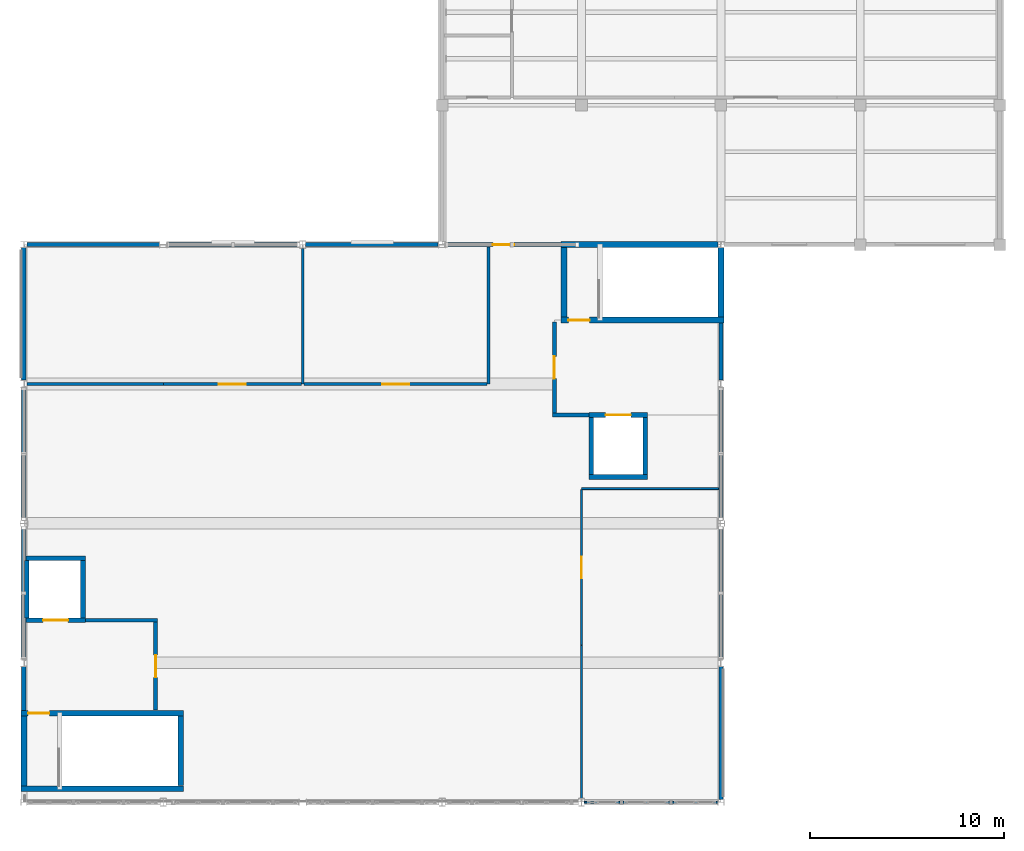
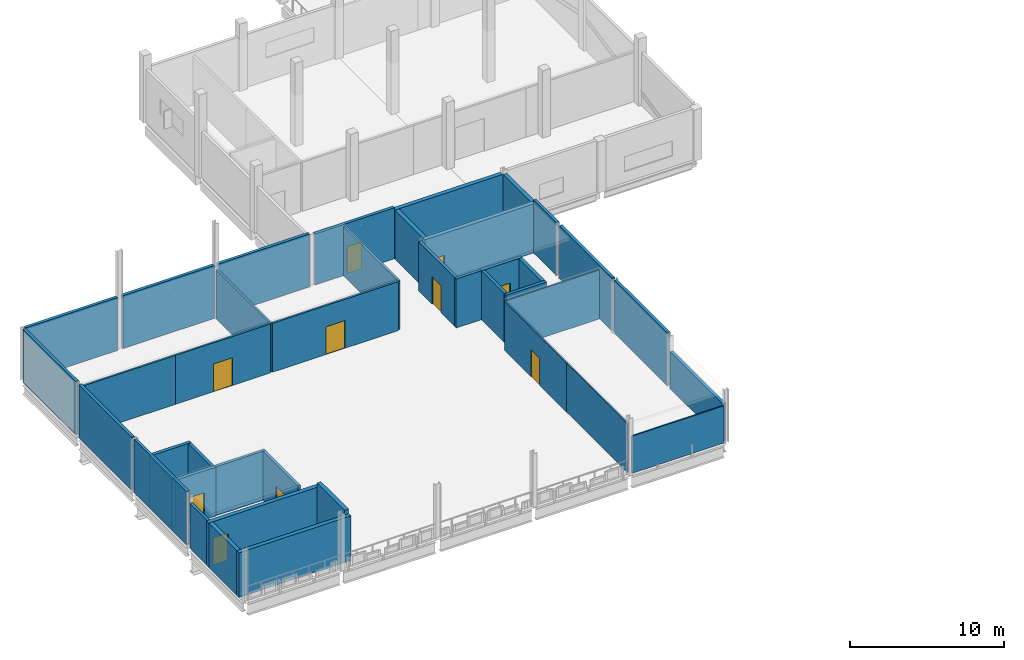
# One storey, part 18 of 20: 41 walls, 10 doors, 10 openings.
"""IFC4 building model written with IfcOpenShell, lengths in metres."""

from ifc_helpers import new_model, si_unit, direction, frame, frame_2d, origin, place, context, subcontext, project, spatial, rectangle, extrude, material, layer, layer_set, type_object, element, fill, save


model = new_model("IFC4")

# Units and contexts
model_context = context("Model", 3, precision=1e-05, world=origin(), true_north=direction((0.0, 1.0)))
body_context = subcontext(model_context, "Body", "Model", "MODEL_VIEW")
ifc_project = project(units=[si_unit("LENGTHUNIT", "METRE"), si_unit("AREAUNIT", "SQUARE_METRE"), si_unit("VOLUMEUNIT", "CUBIC_METRE"), si_unit("PLANEANGLEUNIT", "RADIAN"), si_unit("MASSUNIT", "GRAM", prefix="KILO"), si_unit("THERMODYNAMICTEMPERATUREUNIT", "KELVIN"), si_unit("POWERUNIT", "WATT")], contexts=[model_context])

# Site, building, storey
site_placement = place(None, origin())
site = spatial("IfcSite", under=ifc_project, at=site_placement, CompositionType="ELEMENT")
building_placement = place(site_placement, origin())
building = spatial("IfcBuilding", under=site, at=building_placement, Name="Kaldorven Railside Theatre", CompositionType="ELEMENT")
storey_placement = place(building_placement, frame((0.0, 0.0, 23.10009765625)))
storey = spatial("IfcBuildingStorey", under=building, at=storey_placement, Name="L05", CompositionType="ELEMENT", Elevation=23.10009765625)

# Walls
ifc_material_1 = material(Name="Precast concrete C40/50", Category="concrete")
ifc_layer_1 = layer(ifc_material_1, 0.219970703125, Name="Precast concrete C40/50")
ifc_layer_set_1 = layer_set([ifc_layer_1], Name="Precast concrete C40/50")
wall_type_1 = type_object("IfcWallType", Name="WL-EW07", PredefinedType="SOLIDWALL", material=ifc_layer_set_1)
wall_1_placement = place(storey_placement, frame((87.199951171875, 88.75, 0.0), z_axis=(0.0, 0.0, 1.0), x_axis=(0.0, 1.0, 0.0)))
element("IfcWall", 1, at=wall_1_placement, inside=storey, type_object=wall_type_1, Name="V2 L05 Exterior Wall EW-0329", PredefinedType="SOLIDWALL", context=body_context, shape_type="SweptSolid", body=[
    extrude(rectangle(XDim=2.25, YDim=0.219970703125, at=frame_2d((1.125, 0.0))), origin(), (0.0, 0.0, 1.0), 3.534912109375),
])
wall_2_placement = place(storey_placement, frame((87.199951171875, 91.39990234375, 0.0), z_axis=(0.0, 0.0, 1.0), x_axis=(0.0, 1.0, 0.0)))
element("IfcWall", 2, at=wall_2_placement, inside=storey, type_object=wall_type_1, Name="V2 L05 Exterior Wall EW-0330", PredefinedType="SOLIDWALL", context=body_context, shape_type="SweptSolid", body=[
    extrude(rectangle(XDim=6.85009765625, YDim=0.219970703125, at=frame_2d((3.425048828125, 0.0))), origin(), (0.0, 0.0, 1.0), 4.199951171875),
])
wall_3_placement = place(storey_placement, frame((87.199951171875, 98.550048828125, 0.0), z_axis=(0.0, 0.0, 1.0), x_axis=(0.0, 1.0, 0.0)))
element("IfcWall", 3, at=wall_3_placement, inside=storey, type_object=wall_type_1, Name="V2 L05 Exterior Wall EW-0331", PredefinedType="SOLIDWALL", context=body_context, shape_type="SweptSolid", body=[
    extrude(rectangle(XDim=6.849853515625, YDim=0.219970703125, at=frame_2d((3.4248046875, 0.0))), origin(), (0.0, 0.0, 1.0), 4.199951171875),
])
wall_4_placement = place(storey_placement, frame((87.199951171875, 105.800048828125, 0.0), z_axis=(0.0, 0.0, 1.0), x_axis=(0.0, 1.0, 0.0)))
element("IfcWall", 4, at=wall_4_placement, inside=storey, type_object=wall_type_1, Name="V2 L05 Exterior Wall EW-0332", PredefinedType="SOLIDWALL", context=body_context, shape_type="SweptSolid", body=[
    extrude(rectangle(XDim=6.839599609375, YDim=0.219970703125, at=frame_2d((3.419921875, 0.0))), origin(), (0.0, 0.0, 1.0), 4.199951171875),
])
wall_5_placement = place(storey_placement, frame((87.3544921875, 112.800048828125, 0.0), z_axis=(0.0, 0.0, 1.0), x_axis=(1.0, 0.0, 0.0)))
element("IfcWall", 5, at=wall_5_placement, inside=storey, type_object=wall_type_1, Name="V2 L05 Exterior Wall EW-0333", PredefinedType="SOLIDWALL", context=body_context, shape_type="SweptSolid", body=[
    extrude(rectangle(XDim=6.845458984375, YDim=0.219970703125, at=frame_2d((3.4228515625, 0.0))), origin(), (0.0, 0.0, 1.0), 4.199951171875),
])
wall_6_placement = place(storey_placement, frame((94.60009765625, 112.800048828125, 0.0), z_axis=(0.0, 0.0, 1.0), x_axis=(1.0, 0.0, 0.0)))
element("IfcWall", 6, at=wall_6_placement, inside=storey, type_object=wall_type_1, Name="V2 L05 Exterior Wall EW-0334", PredefinedType="SOLIDWALL", context=body_context, shape_type="SweptSolid", body=[
    extrude(rectangle(XDim=6.849853515625, YDim=0.219970703125, at=frame_2d((3.4248046875, 0.0))), origin(), (0.0, 0.0, 1.0), 4.199951171875),
])
wall_7_placement = place(storey_placement, frame((101.75, 112.800048828125, 0.0), z_axis=(0.0, 0.0, 1.0), x_axis=(1.0, 0.0, 0.0)))
element("IfcWall", 7, at=wall_7_placement, inside=storey, type_object=wall_type_1, Name="V2 L05 Exterior Wall EW-0335", PredefinedType="SOLIDWALL", context=body_context, shape_type="SweptSolid", body=[
    extrude(rectangle(XDim=6.85009765625, YDim=0.219970703125, at=frame_2d((3.425048828125, 0.0))), origin(), (0.0, 0.0, 1.0), 4.199951171875),
])

# Wall, opening, door
wall_8_placement = place(storey_placement, frame((109.0, 112.800048828125, 0.0), z_axis=(0.0, 0.0, 1.0), x_axis=(1.0, 0.0, 0.0)))
wall_8 = element("IfcWall", 8, at=wall_8_placement, inside=storey, type_object=wall_type_1, Name="V2 L05 Exterior Wall EW-0336", PredefinedType="SOLIDWALL", context=body_context, shape_type="SweptSolid", body=[
    extrude(rectangle(XDim=5.949951171875, YDim=0.219970703125, at=frame_2d((2.97509765625, 0.0))), origin(), (0.0, 0.0, 1.0), 4.04638671875),
])
opening_1_placement = place(wall_8_placement, frame((2.425048828125, 0.0, 0.0)))
opening_1 = element("IfcOpeningElement", 9, at=opening_1_placement, cuts=wall_8, Name="Opening ID-0085", PredefinedType="OPENING", context=body_context, shape_type="SweptSolid", body=[
    extrude(rectangle(XDim=1.10009765625, YDim=2.14990234375, at=frame_2d((0.550048828125, 1.074951171875))), frame((0.0, 0.1201171875, 0.0), z_axis=(0.0, -1.0, 0.0), x_axis=(1.0, 0.0, 0.0)), (0.0, 0.0, 1.0), 0.239990234375),
])
ifc_material_2 = material(Name="Acoustic hardwood timber", Category="wood")
door_type_1 = type_object("IfcDoorType", Name="DR-ID-FD60", OperationType="NOTDEFINED", PredefinedType="DOOR", material=ifc_material_2)
door_1_placement = place(opening_1_placement, origin())
door_1 = element("IfcDoor", 10, at=door_1_placement, inside=storey, type_object=door_type_1, Name="L05 Stage-to-Backstage Corridor Door", OperationType="SINGLE_SWING_RIGHT", OverallHeight=2.14990234375, OverallWidth=1.10009765625, PredefinedType="DOOR", context=body_context, shape_type="SweptSolid", body=[
    extrude(rectangle(XDim=1.10009765625, YDim=2.14990234375, at=frame_2d((0.550048828125, 1.074951171875))), frame((0.0, 0.02490234375, 0.0), z_axis=(0.0, -1.0, 0.0), x_axis=(1.0, 0.0, 0.0)), (0.0, 0.0, 1.0), 0.050048828125),
])
fill(opening_1, door_1)

# Walls
wall_9_placement = place(storey_placement, frame((123.199951171875, 108.75, 0.0), z_axis=(0.0, 0.0, 1.0), x_axis=(0.0, -1.0, 0.0)))
element("IfcWall", 11, at=wall_9_placement, inside=storey, type_object=wall_type_1, Name="V2 L05 Exterior Wall EW-0337", PredefinedType="SOLIDWALL", context=body_context, shape_type="SweptSolid", body=[
    extrude(rectangle(XDim=2.949951171875, YDim=0.219970703125, at=frame_2d((1.47509765625, 0.0))), origin(), (0.0, 0.0, 1.0), 4.199951171875),
])
wall_10_placement = place(storey_placement, frame((123.199951171875, 105.39990234375, 0.0), z_axis=(0.0, 0.0, 1.0), x_axis=(0.0, -1.0, 0.0)))
element("IfcWall", 12, at=wall_10_placement, inside=storey, type_object=wall_type_1, Name="V2 L05 Exterior Wall EW-0338", PredefinedType="SOLIDWALL", context=body_context, shape_type="SweptSolid", body=[
    extrude(rectangle(XDim=6.849853515625, YDim=0.219970703125, at=frame_2d((3.4248046875, 0.0))), origin(), (0.0, 0.0, 1.0), 4.199951171875),
])
wall_11_placement = place(storey_placement, frame((123.199951171875, 98.25, 0.0), z_axis=(0.0, 0.0, 1.0), x_axis=(0.0, -1.0, 0.0)))
element("IfcWall", 13, at=wall_11_placement, inside=storey, type_object=wall_type_1, Name="V2 L05 Exterior Wall EW-0339", PredefinedType="SOLIDWALL", context=body_context, shape_type="SweptSolid", body=[
    extrude(rectangle(XDim=6.85009765625, YDim=0.219970703125, at=frame_2d((3.425048828125, 0.0))), origin(), (0.0, 0.0, 1.0), 4.199951171875),
])
wall_12_placement = place(storey_placement, frame((123.199951171875, 91.0, 0.0), z_axis=(0.0, 0.0, 1.0), x_axis=(0.0, -1.0, 0.0)))
element("IfcWall", 14, at=wall_12_placement, inside=storey, type_object=wall_type_1, Name="V2 L05 Exterior Wall EW-0340", PredefinedType="SOLIDWALL", context=body_context, shape_type="SweptSolid", body=[
    extrude(rectangle(XDim=6.845458984375, YDim=0.219970703125, at=frame_2d((3.4228515625, 0.0))), origin(), (0.0, 0.0, 1.0), 2.949462890625),
])
ifc_material_3 = material(Name="Acoustic gypsum board")
ifc_layer_2 = layer(ifc_material_3, 0.14990234375, Name="Acoustic gypsum board")
ifc_layer_set_2 = layer_set([ifc_layer_2], Name="Acoustic gypsum board")
wall_type_2 = type_object("IfcWallType", Name="WL-IW-AC1", PredefinedType="PARTITIONING", material=ifc_layer_set_2)
wall_13_placement = place(storey_placement, frame((111.199951171875, 105.60009765625, 0.0), z_axis=(0.0, 0.0, 1.0), x_axis=(0.0, 1.0, 0.0)))
element("IfcWall", 15, at=wall_13_placement, inside=storey, type_object=wall_type_2, Name="L05 Interior Wall IW-0695", PredefinedType="PARTITIONING", context=body_context, shape_type="SweptSolid", body=[
    extrude(rectangle(XDim=7.087890625, YDim=0.14990234375, at=frame_2d((3.5439453125, 0.0))), origin(), (0.0, 0.0, 1.0), 3.8798828125),
])

# Wall, opening, door
wall_14_placement = place(storey_placement, frame((101.672119140625, 105.60009765625, 0.0), z_axis=(0.0, 0.0, 1.0), x_axis=(1.0, 0.0, 0.0)))
wall_14 = element("IfcWall", 16, at=wall_14_placement, inside=storey, type_object=wall_type_2, Name="L05 Interior Wall IW-0696", PredefinedType="PARTITIONING", context=body_context, shape_type="SweptSolid", body=[
    extrude(rectangle(XDim=9.450927734375, YDim=0.14990234375, at=frame_2d((4.7255859375, 0.0))), origin(), (0.0, 0.0, 1.0), 3.8798828125),
])
opening_2_placement = place(wall_14_placement, frame((4.025390625, 0.0, 0.0)))
opening_2 = element("IfcOpeningElement", 17, at=opening_2_placement, cuts=wall_14, Name="Opening ID-0159", PredefinedType="OPENING", context=body_context, shape_type="SweptSolid", body=[
    extrude(rectangle(XDim=1.39990234375, YDim=2.199951171875, at=frame_2d((0.699951171875, 1.10009765625))), frame((0.0, 0.0849609375, 0.0), z_axis=(0.0, -1.0, 0.0), x_axis=(1.0, 0.0, 0.0)), (0.0, 0.0, 1.0), 0.169921875),
])
ifc_material_4 = material(Name="Powder-coated hollow-metal steel", Category="steel")
door_type_2 = type_object("IfcDoorType", Name="DR-ID-PLT1", OperationType="NOTDEFINED", PredefinedType="DOOR", material=ifc_material_4)
door_2_placement = place(opening_2_placement, origin())
door_2 = element("IfcDoor", 18, at=door_2_placement, inside=storey, type_object=door_type_2, Name="Upper Smoke Extract Plant Entry Door", OperationType="SINGLE_SWING_RIGHT", OverallHeight=2.199951171875, OverallWidth=1.39990234375, PredefinedType="DOOR", context=body_context, shape_type="SweptSolid", body=[
    extrude(rectangle(XDim=1.39990234375, YDim=2.199951171875, at=frame_2d((0.699951171875, 1.10009765625))), frame((0.0, 0.02490234375, 0.0), z_axis=(0.0, -1.0, 0.0), x_axis=(1.0, 0.0, 0.0)), (0.0, 0.0, 1.0), 0.050048828125),
])
fill(opening_2, door_2)

# Walls
ifc_layer_3 = layer(ifc_material_3, 0.139892578125, Name="Acoustic gypsum board")
ifc_layer_set_3 = layer_set([ifc_layer_3], Name="Acoustic gypsum board")
wall_type_3 = type_object("IfcWallType", Name="WL-IW-AC2", PredefinedType="PARTITIONING", material=ifc_layer_set_3)
wall_15_placement = place(storey_placement, frame((101.60009765625, 105.60009765625, 0.0), z_axis=(0.0, 0.0, 1.0), x_axis=(0.0, 1.0, 0.0)))
element("IfcWall", 19, at=wall_15_placement, inside=storey, type_object=wall_type_3, Name="L05 Interior Wall IW-0692", PredefinedType="PARTITIONING", context=body_context, shape_type="SweptSolid", body=[
    extrude(rectangle(XDim=7.0, YDim=0.139892578125, at=frame_2d((3.5, 0.0))), origin(), (0.0, 0.0, 1.0), 3.8798828125),
])
wall_16_placement = place(storey_placement, frame((87.35009765625, 105.60009765625, 0.0), z_axis=(0.0, 0.0, 1.0), x_axis=(1.0, 0.0, 0.0)))
element("IfcWall", 20, at=wall_16_placement, inside=storey, type_object=wall_type_3, Name="L05 Interior Wall IW-0693", PredefinedType="PARTITIONING", context=body_context, shape_type="SweptSolid", body=[
    extrude(rectangle(XDim=7.0498046875, YDim=0.139892578125, at=frame_2d((3.52490234375, 0.0))), origin(), (0.0, 0.0, 1.0), 3.8798828125),
])

# Wall, opening, door
wall_17_placement = place(storey_placement, frame((94.39990234375, 105.60009765625, 0.0), z_axis=(0.0, 0.0, 1.0), x_axis=(1.0, 0.0, 0.0)))
wall_17 = element("IfcWall", 21, at=wall_17_placement, inside=storey, type_object=wall_type_3, Name="L05 Interior Wall IW-0694", PredefinedType="PARTITIONING", context=body_context, shape_type="SweptSolid", body=[
    extrude(rectangle(XDim=7.128173828125, YDim=0.139892578125, at=frame_2d((3.56396484375, 0.0))), origin(), (0.0, 0.0, 1.0), 3.8798828125),
])
opening_3_placement = place(wall_17_placement, frame((2.864013671875, 0.0, 0.0)))
opening_3 = element("IfcOpeningElement", 22, at=opening_3_placement, cuts=wall_17, Name="Opening ID-0158", PredefinedType="OPENING", context=body_context, shape_type="SweptSolid", body=[
    extrude(rectangle(XDim=1.39990234375, YDim=2.199951171875, at=frame_2d((0.699951171875, 1.10009765625))), frame((0.0, 0.080078125, 0.0), z_axis=(0.0, -1.0, 0.0), x_axis=(1.0, 0.0, 0.0)), (0.0, 0.0, 1.0), 0.159912109375),
])
door_3_placement = place(opening_3_placement, origin())
door_3 = element("IfcDoor", 23, at=door_3_placement, inside=storey, type_object=door_type_2, Name="Rigging Winch Room Entry Door", OperationType="SINGLE_SWING_LEFT", OverallHeight=2.199951171875, OverallWidth=1.39990234375, PredefinedType="DOOR", context=body_context, shape_type="SweptSolid", body=[
    extrude(rectangle(XDim=1.39990234375, YDim=2.199951171875, at=frame_2d((0.699951171875, 1.10009765625))), frame((0.0, 0.02490234375, 0.0), z_axis=(0.0, -1.0, 0.0), x_axis=(1.0, 0.0, 0.0)), (0.0, 0.0, 1.0), 0.050048828125),
])
fill(opening_3, door_3)

# Walls
ifc_material_5 = material(Name="Concrete C40/50", Category="concrete")
ifc_layer_4 = layer(ifc_material_5, 0.300048828125, Name="Concrete C40/50")
ifc_layer_set_4 = layer_set([ifc_layer_4], Name="Concrete C40/50")
wall_type_4 = type_object("IfcWallType", Name="WL-IW-CORE", PredefinedType="SHEAR", material=ifc_layer_set_4)
wall_18_placement = place(storey_placement, frame((95.449951171875, 84.699951171875, 0.0), z_axis=(0.0, 0.0, 1.0), x_axis=(-1.0, 0.0, 0.0)))
element("IfcWall", 24, at=wall_18_placement, inside=storey, type_object=wall_type_4, Name="L05 Core Wall CW-0153", PredefinedType="SHEAR", context=body_context, shape_type="SweptSolid", body=[
    extrude(rectangle(XDim=8.39990234375, YDim=0.300048828125, at=frame_2d((4.199951171875, 0.0))), origin(), (0.0, 0.0, 1.0), 3.534912109375),
])
wall_19_placement = place(storey_placement, frame((87.199951171875, 84.85205078125, 0.0), z_axis=(0.0, 0.0, 1.0), x_axis=(0.0, 1.0, 0.0)))
element("IfcWall", 25, at=wall_19_placement, inside=storey, type_object=wall_type_4, Name="L05 Core Wall CW-0154", PredefinedType="SHEAR", context=body_context, shape_type="SweptSolid", body=[
    extrude(rectangle(XDim=3.597900390625, YDim=0.300048828125, at=frame_2d((1.798828125, 0.0))), origin(), (0.0, 0.0, 1.0), 3.534912109375),
])

# Wall, opening, door
wall_20_placement = place(storey_placement, frame((87.050048828125, 88.60009765625, 0.0), z_axis=(0.0, 0.0, 1.0), x_axis=(1.0, 0.0, 0.0)))
wall_20 = element("IfcWall", 26, at=wall_20_placement, inside=storey, type_object=wall_type_4, Name="L05 Core Wall CW-0155", PredefinedType="SHEAR", context=body_context, shape_type="SweptSolid", body=[
    extrude(rectangle(XDim=8.39990234375, YDim=0.300048828125, at=frame_2d((4.199951171875, 0.0))), origin(), (0.0, 0.0, 1.0), 3.534912109375),
])
opening_4_placement = place(wall_20_placement, frame((0.3701171875, 0.0, 0.0)))
opening_4 = element("IfcOpeningElement", 27, at=opening_4_placement, cuts=wall_20, Name="Opening ID-0024", PredefinedType="OPENING", context=body_context, shape_type="SweptSolid", body=[
    extrude(rectangle(XDim=1.10009765625, YDim=2.14990234375, at=frame_2d((0.550048828125, 1.074951171875))), frame((0.0, 0.16015625, 0.0), z_axis=(0.0, -1.0, 0.0), x_axis=(1.0, 0.0, 0.0)), (0.0, 0.0, 1.0), 0.320068359375),
])
door_4_placement = place(opening_4_placement, origin())
door_4 = element("IfcDoor", 28, at=door_4_placement, inside=storey, type_object=door_type_1, Name="Stair ST-05 Fire Door", OperationType="SINGLE_SWING_RIGHT", OverallHeight=2.14990234375, OverallWidth=1.10009765625, PredefinedType="DOOR", context=body_context, shape_type="SweptSolid", body=[
    extrude(rectangle(XDim=1.10009765625, YDim=2.14990234375, at=frame_2d((0.550048828125, 1.074951171875))), frame((0.0, 0.02490234375, 0.0), z_axis=(0.0, -1.0, 0.0), x_axis=(1.0, 0.0, 0.0)), (0.0, 0.0, 1.0), 0.050048828125),
])
fill(opening_4, door_4)

# Wall
wall_21_placement = place(storey_placement, frame((95.300048828125, 88.447998046875, 0.0), z_axis=(0.0, 0.0, 1.0), x_axis=(0.0, -1.0, 0.0)))
element("IfcWall", 29, at=wall_21_placement, inside=storey, type_object=wall_type_4, Name="L05 Core Wall CW-0156", PredefinedType="SHEAR", context=body_context, shape_type="SweptSolid", body=[
    extrude(rectangle(XDim=3.595947265625, YDim=0.300048828125, at=frame_2d((1.7978515625, 0.0))), origin(), (0.0, 0.0, 1.0), 3.8798828125),
])

# Wall, opening, door
wall_22_placement = place(storey_placement, frame((123.35009765625, 108.89990234375, 0.0), z_axis=(0.0, 0.0, 1.0), x_axis=(-1.0, 0.0, 0.0)))
wall_22 = element("IfcWall", 30, at=wall_22_placement, inside=storey, type_object=wall_type_4, Name="L05 Core Wall CW-0221", PredefinedType="SHEAR", context=body_context, shape_type="SweptSolid", body=[
    extrude(rectangle(XDim=8.400146484375, YDim=0.300048828125, at=frame_2d((4.2001953125, 0.0))), origin(), (0.0, 0.0, 1.0), 3.8798828125),
])
opening_5_placement = place(wall_22_placement, frame((6.929931640625, 0.0, 0.0)))
opening_5 = element("IfcOpeningElement", 31, at=opening_5_placement, cuts=wall_22, Name="Opening ID-0038", PredefinedType="OPENING", context=body_context, shape_type="SweptSolid", body=[
    extrude(rectangle(XDim=1.10009765625, YDim=2.14990234375, at=frame_2d((0.550048828125, 1.074951171875))), frame((0.0, 0.16015625, 0.0), z_axis=(0.0, -1.0, 0.0), x_axis=(1.0, 0.0, 0.0)), (0.0, 0.0, 1.0), 0.320068359375),
])
door_5_placement = place(opening_5_placement, origin())
door_5 = element("IfcDoor", 32, at=door_5_placement, inside=storey, type_object=door_type_1, Name="Stair ST-06 Fire Door", OperationType="SINGLE_SWING_RIGHT", OverallHeight=2.14990234375, OverallWidth=1.10009765625, PredefinedType="DOOR", context=body_context, shape_type="SweptSolid", body=[
    extrude(rectangle(XDim=1.10009765625, YDim=2.14990234375, at=frame_2d((0.550048828125, 1.074951171875))), frame((0.0, 0.02490234375, 0.0), z_axis=(0.0, -1.0, 0.0), x_axis=(1.0, 0.0, 0.0)), (0.0, 0.0, 1.0), 0.050048828125),
])
fill(opening_5, door_5)

# Walls
wall_23_placement = place(storey_placement, frame((115.10009765625, 109.052001953125, 0.0), z_axis=(0.0, 0.0, 1.0), x_axis=(0.0, 1.0, 0.0)))
element("IfcWall", 33, at=wall_23_placement, inside=storey, type_object=wall_type_4, Name="L05 Core Wall CW-0222", PredefinedType="SHEAR", context=body_context, shape_type="SweptSolid", body=[
    extrude(rectangle(XDim=3.597900390625, YDim=0.300048828125, at=frame_2d((1.798828125, 0.0))), origin(), (0.0, 0.0, 1.0), 3.8798828125),
])
wall_24_placement = place(storey_placement, frame((114.949951171875, 112.800048828125, 0.0), z_axis=(0.0, 0.0, 1.0), x_axis=(1.0, 0.0, 0.0)))
element("IfcWall", 34, at=wall_24_placement, inside=storey, type_object=wall_type_4, Name="L05 Core Wall CW-0223", PredefinedType="SHEAR", context=body_context, shape_type="SweptSolid", body=[
    extrude(rectangle(XDim=8.095458984375, YDim=0.300048828125, at=frame_2d((4.0478515625, 0.0))), origin(), (0.0, 0.0, 1.0), 3.8798828125),
])
wall_25_placement = place(storey_placement, frame((123.199951171875, 112.6396484375, 0.0), z_axis=(0.0, 0.0, 1.0), x_axis=(0.0, -1.0, 0.0)))
element("IfcWall", 35, at=wall_25_placement, inside=storey, type_object=wall_type_4, Name="L05 Core Wall CW-0224", PredefinedType="SHEAR", context=body_context, shape_type="SweptSolid", body=[
    extrude(rectangle(XDim=3.587646484375, YDim=0.300048828125, at=frame_2d((1.7939453125, 0.0))), origin(), (0.0, 0.0, 1.0), 3.8798828125),
])
ifc_material_6 = material(Name="Concrete C35/45", Category="concrete")
ifc_layer_5 = layer(ifc_material_6, 0.199951171875, Name="Concrete C35/45")
ifc_layer_set_5 = layer_set([ifc_layer_5], Name="Concrete C35/45")
wall_type_5 = type_object("IfcWallType", Name="WL-IW-FF", PredefinedType="PARTITIONING", material=ifc_layer_set_5)
wall_26_placement = place(storey_placement, frame((90.3701171875, 93.39990234375, 0.0), z_axis=(0.0, 0.0, 1.0), x_axis=(1.0, 0.0, 0.0)))
element("IfcWall", 36, at=wall_26_placement, inside=storey, type_object=wall_type_5, Name="L05 Interior Wall FFW-0195", PredefinedType="PARTITIONING", context=body_context, shape_type="SweptSolid", body=[
    extrude(rectangle(XDim=3.72998046875, YDim=0.199951171875, at=frame_2d((1.864990234375, 0.0))), origin(), (0.0, 0.0, 1.0), 3.8798828125),
])

# Wall, opening, door
wall_27_placement = place(storey_placement, frame((94.0, 93.298095703125, 0.0), z_axis=(0.0, 0.0, 1.0), x_axis=(0.0, -1.0, 0.0)))
wall_27 = element("IfcWall", 37, at=wall_27_placement, inside=storey, type_object=wall_type_5, Name="L05 Interior Wall FFW-0196", PredefinedType="PARTITIONING", context=body_context, shape_type="SweptSolid", body=[
    extrude(rectangle(XDim=4.546142578125, YDim=0.199951171875, at=frame_2d((2.27294921875, 0.0))), origin(), (0.0, 0.0, 1.0), 3.8798828125),
])
opening_6_placement = place(wall_27_placement, frame((1.697998046875, 0.0, 0.0)))
opening_6 = element("IfcOpeningElement", 38, at=opening_6_placement, cuts=wall_27, Name="Opening ID-0031", PredefinedType="OPENING", context=body_context, shape_type="SweptSolid", body=[
    extrude(rectangle(XDim=1.14990234375, YDim=2.14990234375, at=frame_2d((0.574951171875, 1.074951171875))), frame((0.0, 0.10986328125, 0.0), z_axis=(0.0, -1.0, 0.0), x_axis=(1.0, 0.0, 0.0)), (0.0, 0.0, 1.0), 0.219970703125),
])
door_type_3 = type_object("IfcDoorType", Name="DR-ID-FD120", OperationType="NOTDEFINED", PredefinedType="DOOR", material=ifc_material_4)
door_6_placement = place(opening_6_placement, origin())
door_6 = element("IfcDoor", 39, at=door_6_placement, inside=storey, type_object=door_type_3, Name="Firefighting Lobby C-STW Door", OperationType="SINGLE_SWING_LEFT", OverallHeight=2.14990234375, OverallWidth=1.14990234375, PredefinedType="DOOR", context=body_context, shape_type="SweptSolid", body=[
    extrude(rectangle(XDim=1.14990234375, YDim=2.14990234375, at=frame_2d((0.574951171875, 1.074951171875))), frame((0.0, 0.02490234375, 0.0), z_axis=(0.0, -1.0, 0.0), x_axis=(1.0, 0.0, 0.0)), (0.0, 0.0, 1.0), 0.050048828125),
])
fill(opening_6, door_6)

# Wall
wall_28_placement = place(storey_placement, frame((116.3798828125, 104.0, 0.0), z_axis=(0.0, 0.0, 1.0), x_axis=(-1.0, 0.0, 0.0)))
element("IfcWall", 40, at=wall_28_placement, inside=storey, type_object=wall_type_5, Name="L05 Interior Wall FFW-0287", PredefinedType="PARTITIONING", context=body_context, shape_type="SweptSolid", body=[
    extrude(rectangle(XDim=1.8798828125, YDim=0.199951171875, at=frame_2d((0.93994140625, 0.0))), origin(), (0.0, 0.0, 1.0), 3.8798828125),
])

# Wall, opening, door
wall_29_placement = place(storey_placement, frame((114.60009765625, 104.10205078125, 0.0), z_axis=(0.0, 0.0, 1.0), x_axis=(0.0, 1.0, 0.0)))
wall_29 = element("IfcWall", 41, at=wall_29_placement, inside=storey, type_object=wall_type_5, Name="L05 Interior Wall FFW-0288", PredefinedType="PARTITIONING", context=body_context, shape_type="SweptSolid", body=[
    extrude(rectangle(XDim=4.697998046875, YDim=0.199951171875, at=frame_2d((2.34912109375, 0.0))), origin(), (0.0, 0.0, 1.0), 3.8798828125),
])
opening_7_placement = place(wall_29_placement, frame((1.77392578125, 0.0, 0.0)))
opening_7 = element("IfcOpeningElement", 42, at=opening_7_placement, cuts=wall_29, Name="Opening ID-0045", PredefinedType="OPENING", context=body_context, shape_type="SweptSolid", body=[
    extrude(rectangle(XDim=1.14990234375, YDim=2.14990234375, at=frame_2d((0.574951171875, 1.074951171875))), frame((0.0, 0.10986328125, 0.0), z_axis=(0.0, -1.0, 0.0), x_axis=(1.0, 0.0, 0.0)), (0.0, 0.0, 1.0), 0.219970703125),
])
door_7_placement = place(opening_7_placement, origin())
door_7 = element("IfcDoor", 43, at=door_7_placement, inside=storey, type_object=door_type_3, Name="Firefighting Lobby C-STE Door", OperationType="SINGLE_SWING_LEFT", OverallHeight=2.14990234375, OverallWidth=1.14990234375, PredefinedType="DOOR", context=body_context, shape_type="SweptSolid", body=[
    extrude(rectangle(XDim=1.14990234375, YDim=2.14990234375, at=frame_2d((0.574951171875, 1.074951171875))), frame((0.0, 0.02490234375, 0.0), z_axis=(0.0, -1.0, 0.0), x_axis=(1.0, 0.0, 0.0)), (0.0, 0.0, 1.0), 0.050048828125),
])
fill(opening_7, door_7)

# Wall
ifc_material_7 = material(Name="Fire-rated acoustic gypsum board")
ifc_layer_6 = layer(ifc_material_7, 0.10009765625, Name="Fire-rated acoustic gypsum board")
ifc_layer_set_6 = layer_set([ifc_layer_6], Name="Fire-rated acoustic gypsum board")
wall_type_6 = type_object("IfcWallType", Name="WL-IW-PT2", PredefinedType="PARTITIONING", material=ifc_layer_set_6)
wall_30_placement = place(storey_placement, frame((123.087890625, 100.199951171875, 0.0), z_axis=(0.0, 0.0, 1.0), x_axis=(-1.0, 0.0, 0.0)))
element("IfcWall", 44, at=wall_30_placement, inside=storey, type_object=wall_type_6, Name="L05 Interior Wall IW-0697", PredefinedType="PARTITIONING", context=body_context, shape_type="SweptSolid", body=[
    extrude(rectangle(XDim=7.087890625, YDim=0.10009765625, at=frame_2d((3.5439453125, 0.0))), origin(), (0.0, 0.0, 1.0), 3.8798828125),
])

# Wall, opening, door
wall_31_placement = place(storey_placement, frame((116.0, 100.14794921875, 0.0), z_axis=(0.0, 0.0, 1.0), x_axis=(0.0, -1.0, 0.0)))
wall_31 = element("IfcWall", 45, at=wall_31_placement, inside=storey, type_object=wall_type_6, Name="L05 Interior Wall IW-0698", PredefinedType="PARTITIONING", context=body_context, shape_type="SweptSolid", body=[
    extrude(rectangle(XDim=8.0478515625, YDim=0.10009765625, at=frame_2d((4.02392578125, 0.0))), origin(), (0.0, 0.0, 1.0), 3.8798828125),
])
opening_8_placement = place(wall_31_placement, frame((3.47412109375, 0.0, 0.0)))
opening_8 = element("IfcOpeningElement", 46, at=opening_8_placement, cuts=wall_31, Name="Opening ID-0160", PredefinedType="OPENING", context=body_context, shape_type="SweptSolid", body=[
    extrude(rectangle(XDim=1.10009765625, YDim=2.14990234375, at=frame_2d((0.550048828125, 1.074951171875))), frame((0.0, 0.06005859375, 0.0), z_axis=(0.0, -1.0, 0.0), x_axis=(1.0, 0.0, 0.0)), (0.0, 0.0, 1.0), 0.1201171875),
])
door_8_placement = place(opening_8_placement, origin())
door_8 = element("IfcDoor", 47, at=door_8_placement, inside=storey, type_object=door_type_1, Name="Stage Automation Control Room Entry Door", OperationType="SINGLE_SWING_LEFT", OverallHeight=2.14990234375, OverallWidth=1.10009765625, PredefinedType="DOOR", context=body_context, shape_type="SweptSolid", body=[
    extrude(rectangle(XDim=1.10009765625, YDim=2.14990234375, at=frame_2d((0.550048828125, 1.074951171875))), frame((0.0, 0.02490234375, 0.0), z_axis=(0.0, -1.0, 0.0), x_axis=(1.0, 0.0, 0.0)), (0.0, 0.0, 1.0), 0.050048828125),
])
fill(opening_8, door_8)

# Walls
wall_32_placement = place(storey_placement, frame((116.0, 92.10009765625, 0.0), z_axis=(0.0, 0.0, 1.0), x_axis=(0.0, -1.0, 0.0)))
element("IfcWall", 48, at=wall_32_placement, inside=storey, type_object=wall_type_6, Name="L05 Interior Wall IW-0699", PredefinedType="PARTITIONING", context=body_context, shape_type="SweptSolid", body=[
    extrude(rectangle(XDim=7.900146484375, YDim=0.10009765625, at=frame_2d((3.9501953125, 0.0))), origin(), (0.0, 0.0, 1.0), 3.8798828125),
])
wall_33_placement = place(storey_placement, frame((116.14990234375, 84.0, 0.0), z_axis=(0.0, 0.0, 1.0), x_axis=(1.0, 0.0, 0.0)))
element("IfcWall", 49, at=wall_33_placement, inside=storey, type_object=wall_type_6, Name="L05 Interior Wall IW-0700", PredefinedType="PARTITIONING", context=body_context, shape_type="SweptSolid", body=[
    extrude(rectangle(XDim=6.889892578125, YDim=0.10009765625, at=frame_2d((3.44482421875, 0.0))), origin(), (0.0, 0.0, 1.0), 2.949462890625),
])

# Wall, opening, door
ifc_layer_7 = layer(ifc_material_5, 0.239990234375, Name="Concrete C40/50")
ifc_layer_set_7 = layer_set([ifc_layer_7], Name="Concrete C40/50")
wall_type_7 = type_object("IfcWallType", Name="WL-IW-SHAFT", PredefinedType="SHEAR", material=ifc_layer_set_7)
wall_34_placement = place(storey_placement, frame((90.3701171875, 93.39990234375, 0.0), z_axis=(0.0, 0.0, 1.0), x_axis=(-1.0, 0.0, 0.0)))
wall_34 = element("IfcWall", 50, at=wall_34_placement, inside=storey, type_object=wall_type_7, Name="L05 Interior Wall SW-0179", PredefinedType="SHEAR", context=body_context, shape_type="SweptSolid", body=[
    extrude(rectangle(XDim=3.05810546875, YDim=0.239990234375, at=frame_2d((1.529052734375, 0.0))), origin(), (0.0, 0.0, 1.0), 3.8798828125),
])
opening_9_placement = place(wall_34_placement, frame((0.87890625, 0.0, 0.0)))
opening_9 = element("IfcOpeningElement", 51, at=opening_9_placement, cuts=wall_34, Name="Opening LD-022", PredefinedType="OPENING", context=body_context, shape_type="SweptSolid", body=[
    extrude(rectangle(XDim=1.300048828125, YDim=2.14990234375, at=frame_2d((0.64990234375, 1.074951171875))), frame((0.0, 0.1298828125, 0.0), z_axis=(0.0, -1.0, 0.0), x_axis=(1.0, 0.0, 0.0)), (0.0, 0.0, 1.0), 0.260009765625),
])
door_type_4 = type_object("IfcDoorType", Name="DR-LD-FF", OperationType="NOTDEFINED", PredefinedType="DOOR", material=ifc_material_4)
door_9_placement = place(opening_9_placement, origin())
door_9 = element("IfcDoor", 52, at=door_9_placement, inside=storey, type_object=door_type_4, Name="Lift LF-FF1 Sliding Landing Door", OperationType="DOUBLE_DOOR_SLIDING", OverallHeight=2.14990234375, OverallWidth=1.300048828125, PredefinedType="DOOR", context=body_context, shape_type="SweptSolid", body=[
    extrude(rectangle(XDim=1.300048828125, YDim=2.14990234375, at=frame_2d((0.64990234375, 1.074951171875))), frame((0.0, 0.02490234375, 0.0), z_axis=(0.0, -1.0, 0.0), x_axis=(1.0, 0.0, 0.0)), (0.0, 0.0, 1.0), 0.050048828125),
])
fill(opening_9, door_9)

# Walls
wall_35_placement = place(storey_placement, frame((87.35009765625, 93.52197265625, 0.0), z_axis=(0.0, 0.0, 1.0), x_axis=(0.0, 1.0, 0.0)))
element("IfcWall", 53, at=wall_35_placement, inside=storey, type_object=wall_type_7, Name="L05 Interior Wall SW-0180", PredefinedType="SHEAR", context=body_context, shape_type="SweptSolid", body=[
    extrude(rectangle(XDim=2.9580078125, YDim=0.239990234375, at=frame_2d((1.47900390625, 0.0))), origin(), (0.0, 0.0, 1.0), 3.8798828125),
])
wall_36_placement = place(storey_placement, frame((87.31201171875, 96.60009765625, 0.0), z_axis=(0.0, 0.0, 1.0), x_axis=(1.0, 0.0, 0.0)))
element("IfcWall", 54, at=wall_36_placement, inside=storey, type_object=wall_type_7, Name="L05 Interior Wall SW-0181", PredefinedType="SHEAR", context=body_context, shape_type="SweptSolid", body=[
    extrude(rectangle(XDim=3.05810546875, YDim=0.239990234375, at=frame_2d((1.529052734375, 0.0))), origin(), (0.0, 0.0, 1.0), 3.8798828125),
])
wall_37_placement = place(storey_placement, frame((90.25, 96.47802734375, 0.0), z_axis=(0.0, 0.0, 1.0), x_axis=(0.0, -1.0, 0.0)))
element("IfcWall", 55, at=wall_37_placement, inside=storey, type_object=wall_type_7, Name="L05 Interior Wall SW-0182", PredefinedType="SHEAR", context=body_context, shape_type="SweptSolid", body=[
    extrude(rectangle(XDim=2.9560546875, YDim=0.239990234375, at=frame_2d((1.47802734375, 0.0))), origin(), (0.0, 0.0, 1.0), 3.8798828125),
])
wall_38_placement = place(storey_placement, frame((119.419921875, 100.800048828125, 0.0), z_axis=(0.0, 0.0, 1.0), x_axis=(-1.0, 0.0, 0.0)))
element("IfcWall", 56, at=wall_38_placement, inside=storey, type_object=wall_type_7, Name="L05 Interior Wall SW-0249", PredefinedType="SHEAR", context=body_context, shape_type="SweptSolid", body=[
    extrude(rectangle(XDim=3.0400390625, YDim=0.239990234375, at=frame_2d((1.52001953125, 0.0))), origin(), (0.0, 0.0, 1.0), 3.8798828125),
])
wall_39_placement = place(storey_placement, frame((116.5, 100.922119140625, 0.0), z_axis=(0.0, 0.0, 1.0), x_axis=(0.0, 1.0, 0.0)))
element("IfcWall", 57, at=wall_39_placement, inside=storey, type_object=wall_type_7, Name="L05 Interior Wall SW-0250", PredefinedType="SHEAR", context=body_context, shape_type="SweptSolid", body=[
    extrude(rectangle(XDim=2.957763671875, YDim=0.239990234375, at=frame_2d((1.47900390625, 0.0))), origin(), (0.0, 0.0, 1.0), 3.8798828125),
])

# Wall, opening, door
wall_40_placement = place(storey_placement, frame((116.3798828125, 104.0, 0.0), z_axis=(0.0, 0.0, 1.0), x_axis=(1.0, 0.0, 0.0)))
wall_40 = element("IfcWall", 58, at=wall_40_placement, inside=storey, type_object=wall_type_7, Name="L05 Interior Wall SW-0251", PredefinedType="SHEAR", context=body_context, shape_type="SweptSolid", body=[
    extrude(rectangle(XDim=3.0400390625, YDim=0.239990234375, at=frame_2d((1.52001953125, 0.0))), origin(), (0.0, 0.0, 1.0), 3.8798828125),
])
opening_10_placement = place(wall_40_placement, frame((0.8701171875, 0.0, 0.0)))
opening_10 = element("IfcOpeningElement", 59, at=opening_10_placement, cuts=wall_40, Name="Opening LD-029", PredefinedType="OPENING", context=body_context, shape_type="SweptSolid", body=[
    extrude(rectangle(XDim=1.300048828125, YDim=2.14990234375, at=frame_2d((0.64990234375, 1.074951171875))), frame((0.0, 0.1298828125, 0.0), z_axis=(0.0, -1.0, 0.0), x_axis=(1.0, 0.0, 0.0)), (0.0, 0.0, 1.0), 0.260009765625),
])
door_10_placement = place(opening_10_placement, origin())
door_10 = element("IfcDoor", 60, at=door_10_placement, inside=storey, type_object=door_type_4, Name="Lift LF-FF2 Sliding Landing Door", OperationType="DOUBLE_DOOR_SLIDING", OverallHeight=2.14990234375, OverallWidth=1.300048828125, PredefinedType="DOOR", context=body_context, shape_type="SweptSolid", body=[
    extrude(rectangle(XDim=1.300048828125, YDim=2.14990234375, at=frame_2d((0.64990234375, 1.074951171875))), frame((0.0, 0.02490234375, 0.0), z_axis=(0.0, -1.0, 0.0), x_axis=(1.0, 0.0, 0.0)), (0.0, 0.0, 1.0), 0.050048828125),
])
fill(opening_10, door_10)

# Wall
wall_41_placement = place(storey_placement, frame((119.300048828125, 103.8779296875, 0.0), z_axis=(0.0, 0.0, 1.0), x_axis=(0.0, -1.0, 0.0)))
element("IfcWall", 61, at=wall_41_placement, inside=storey, type_object=wall_type_7, Name="L05 Interior Wall SW-0252", PredefinedType="SHEAR", context=body_context, shape_type="SweptSolid", body=[
    extrude(rectangle(XDim=2.955810546875, YDim=0.239990234375, at=frame_2d((1.47802734375, 0.0))), origin(), (0.0, 0.0, 1.0), 3.8798828125),
])

save(model, "model.ifc")
